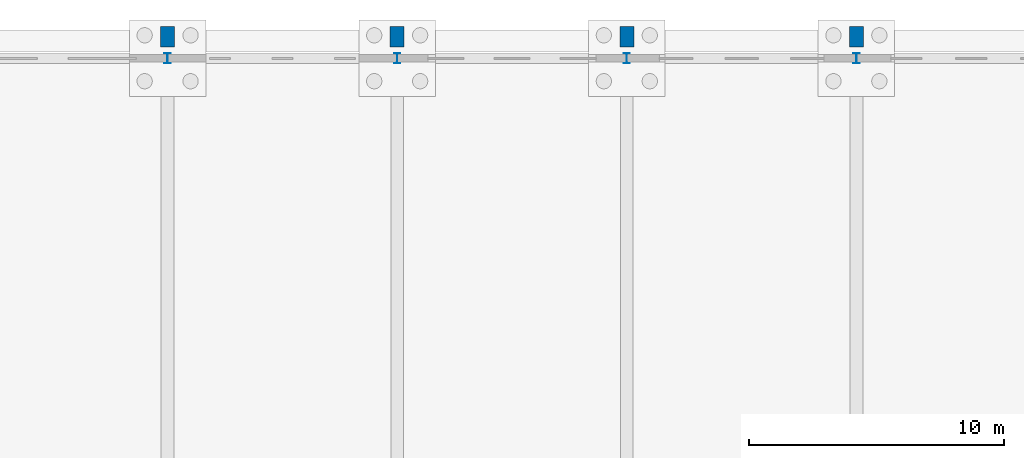
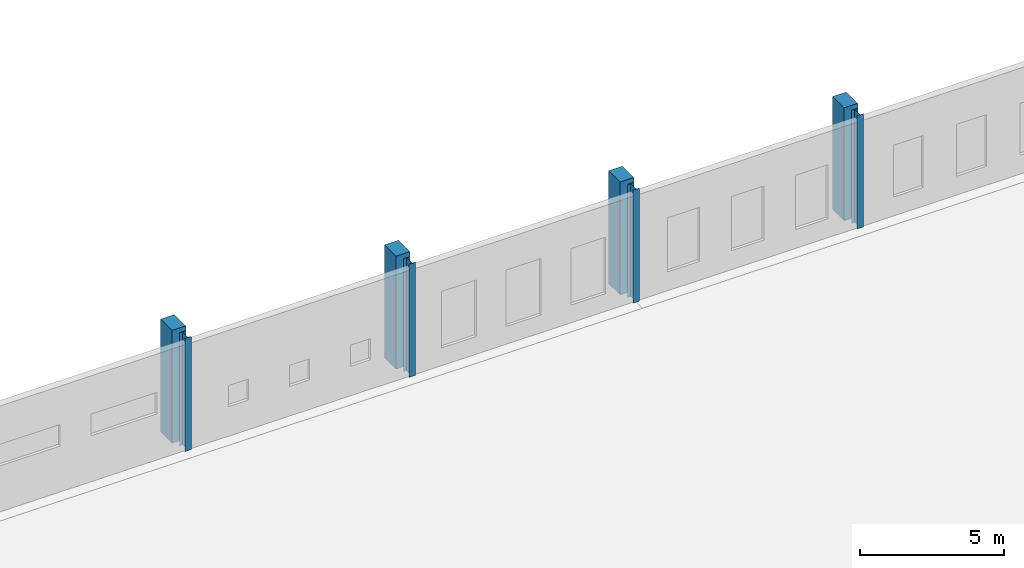
# One storey, part 46 of 112: 8 columns.
"""IFC4 building model written with IfcOpenShell, lengths in metres."""

from ifc_helpers import new_model, si_unit, direction, frame, origin, origin_2d, place, context, subcontext, project, spatial, rectangle, i_section, extrude, material, material_profile, profile_set, type_object, element, save


model = new_model("IFC4")

# Units and contexts
model_context = context("Model", 3, precision=1e-05, world=origin(), true_north=direction((0.0, 1.0)))
body_context = subcontext(model_context, "Body", "Model", "MODEL_VIEW")
ifc_project = project(units=[si_unit("LENGTHUNIT", "METRE"), si_unit("AREAUNIT", "SQUARE_METRE"), si_unit("VOLUMEUNIT", "CUBIC_METRE"), si_unit("PLANEANGLEUNIT", "RADIAN"), si_unit("MASSUNIT", "GRAM", prefix="KILO")], contexts=[model_context])

# Site, building, storey
site_placement = place(None, origin())
site = spatial("IfcSite", under=ifc_project, at=site_placement, CompositionType="ELEMENT")
building_placement = place(site_placement, origin())
building = spatial("IfcBuilding", under=site, at=building_placement, Name="Tharagai Park Tramway Depot", CompositionType="ELEMENT")
storey_placement = place(building_placement, origin())
storey = spatial("IfcBuildingStorey", under=building, at=storey_placement, Name="L00", CompositionType="ELEMENT", Elevation=0.0)

# Columns
ifc_material_1 = material(Name="Steel E350", Category="steel")
ifc_material_profile_1 = material_profile(ifc_material_1, i_section(OverallWidth=0.25, OverallDepth=0.39990234375, WebThickness=0.010498046875, FlangeThickness=0.0126953125, FilletRadius=0.013916015625, at=origin_2d()), Name="ISHB 400")
ifc_profile_set_1 = profile_set([ifc_material_profile_1], Name="Steel E350")
column_type_1 = type_object("IfcColumnType", Name="CL-06", PredefinedType="COLUMN", material=ifc_profile_set_1)
for number, where, z_axis, x_axis, name in (
    (1, (36.0, 144.0, 0.0), (0.0, 0.0, 1.0), (1.0, 0.0, 0.0), "L00 Structural Column CL-06 (36,144)"),
    (2, (45.0, 144.0, 0.0), (0.0, 0.0, 1.0), (1.0, 0.0, 0.0), "L00 Structural Column CL-06 (45,144)"),
    (3, (54.0, 144.0, 0.0), (0.0, 0.0, 1.0), (1.0, 0.0, 0.0), "L00 Structural Column CL-06 (54,144)"),
    (4, (63.0, 144.0, 0.0), (0.0, 0.0, 1.0), (1.0, 0.0, 0.0), "L00 Structural Column CL-06 (63,144)"),
):
    element("IfcColumn", number, at=place(storey_placement, frame(where, z_axis=z_axis, x_axis=x_axis)), inside=storey, type_object=column_type_1, Name=name, PredefinedType="COLUMN", context=body_context, shape_type="SweptSolid", body=[
        extrude(i_section(OverallWidth=0.25, OverallDepth=0.39990234375, WebThickness=0.010498046875, FlangeThickness=0.0126953125, FilletRadius=0.013916015625, at=origin_2d()), origin(), (0.0, 0.0, 1.0), 4.800048828125),
    ])
ifc_material_2 = material(Name="Concrete M40", Category="concrete")
ifc_material_profile_2 = material_profile(ifc_material_2, rectangle(XDim=0.550048828125, YDim=0.800048828125, at=origin_2d()), Name="RC 550x800")
ifc_profile_set_2 = profile_set([ifc_material_profile_2], Name="Concrete M40")
column_type_2 = type_object("IfcColumnType", Name="PL-02", PredefinedType="PILASTER", material=ifc_profile_set_2)
for number, where, z_axis, x_axis, name in (
    (5, (36.0, 144.85009765625, 0.0), (0.0, 0.0, 1.0), (1.0, 0.0, 0.0), "L00 Stepped Gothic Buttress PL-02 N-036"),
    (6, (45.0, 144.85009765625, 0.0), (0.0, 0.0, 1.0), (1.0, 0.0, 0.0), "L00 Stepped Gothic Buttress PL-02 N-045"),
    (7, (54.0, 144.85009765625, 0.0), (0.0, 0.0, 1.0), (1.0, 0.0, 0.0), "L00 Stepped Gothic Buttress PL-02 N-054"),
    (8, (63.0, 144.85009765625, 0.0), (0.0, 0.0, 1.0), (1.0, 0.0, 0.0), "L00 Stepped Gothic Buttress PL-02 N-063"),
):
    element("IfcColumn", number, at=place(storey_placement, frame(where, z_axis=z_axis, x_axis=x_axis)), inside=storey, type_object=column_type_2, Name=name, PredefinedType="PILASTER", context=body_context, shape_type="SweptSolid", body=[
        extrude(rectangle(XDim=0.550048828125, YDim=0.800048828125, at=origin_2d()), origin(), (0.0, 0.0, 1.0), 4.800048828125),
    ])

save(model, "model.ifc")
